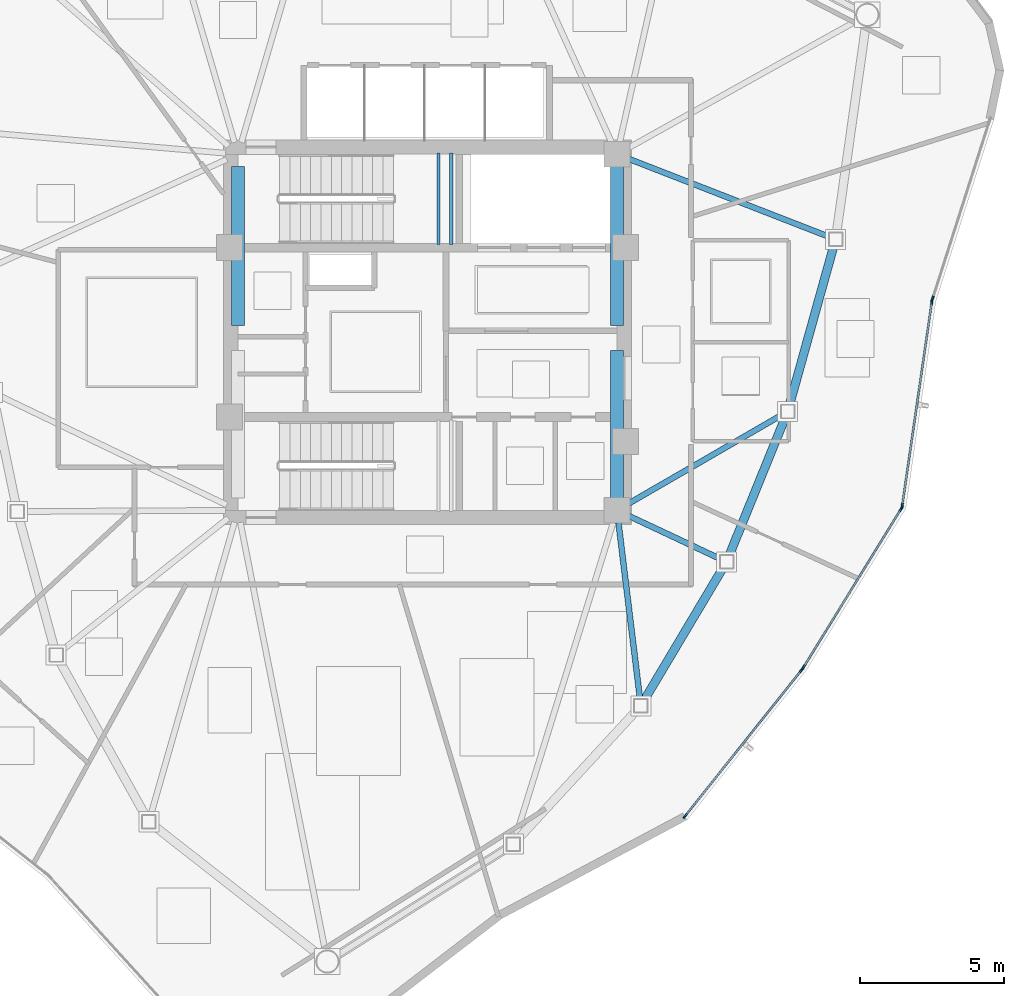
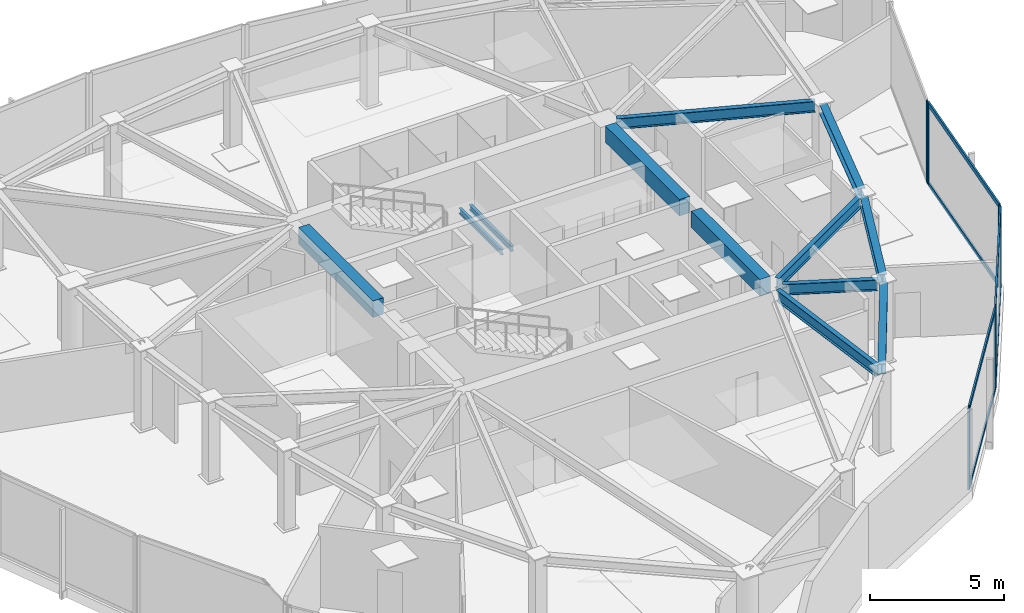
# One storey, part 4 of 14: 13 members, 12 beams, 4 elements without a shape of their own.
"""IFC4 building model written with IfcOpenShell, lengths in metres."""

from ifc_helpers import new_model, si_unit, direction, frame, origin, origin_2d, place, context, subcontext, project, spatial, rectangle, hollow_rectangle, i_section, extrude, source, transform, mapped, material, layer, layer_set, material_profile, profile_set, type_object, type_shapes, element, aggregate, save


model = new_model("IFC4")

# Units and contexts
model_context = context("Model", 3, precision=1e-05, world=origin(), true_north=direction((0.0, 1.0)))
body_context = subcontext(model_context, "Body", "Model", "MODEL_VIEW")
ifc_project = project(units=[si_unit("LENGTHUNIT", "METRE"), si_unit("AREAUNIT", "SQUARE_METRE"), si_unit("VOLUMEUNIT", "CUBIC_METRE"), si_unit("PLANEANGLEUNIT", "RADIAN"), si_unit("MASSUNIT", "GRAM", prefix="KILO")], contexts=[model_context])

# Site, building, storey
site_placement = place(None, origin())
site = spatial("IfcSite", under=ifc_project, at=site_placement, CompositionType="ELEMENT")
building_placement = place(site_placement, origin())
building = spatial("IfcBuilding", under=site, at=building_placement, Name="Tavelor Broadcast Tower", CompositionType="ELEMENT")
storey_placement = place(building_placement, frame((0.0, 0.0, 273.5)))
storey = spatial("IfcBuildingStorey", under=building, at=storey_placement, Name="L65", CompositionType="ELEMENT", Elevation=273.5)

# Beams
ifc_material_1 = material(Name="Concrete C40/50", Category="concrete")
ifc_material_profile_1 = material_profile(ifc_material_1, rectangle(XDim=0.449951171875, YDim=0.75, at=origin_2d()), Name="RC 450x750")
ifc_profile_set_1 = profile_set([ifc_material_profile_1], Name="Concrete C40/50")
beam_type_1 = type_object("IfcBeamType", Name="Basement Core Trim Beam 450x750", PredefinedType="BEAM", material=ifc_profile_set_1)
for number, where, z_axis, x_axis, name in (
    (1, (43.39990234375, 45.23193359375, 3.324951171875), (0.0, 1.0, 0.0), (-1.0, 0.0, 0.0), "L65 Core West-N Tie Girder"),
    (2, (56.60009765625, 45.23193359375, 3.324951171875), (0.0, 1.0, 0.0), (-1.0, 0.0, 0.0), "L65 Core East-N Tie Girder"),
):
    element("IfcBeam", number, at=place(storey_placement, frame(where, z_axis=z_axis, x_axis=x_axis)), inside=storey, type_object=beam_type_1, Name=name, PredefinedType="BEAM", context=body_context, shape_type="SweptSolid", body=[
        extrude(rectangle(XDim=0.449951171875, YDim=0.75, at=origin_2d()), origin(), (0.0, 0.0, 1.0), 5.5361328125),
    ])
beam_1_placement = place(storey_placement, frame((56.60009765625, 39.23193359375, 3.324951171875), z_axis=(0.0, 1.0, 0.0), x_axis=(-1.0, 0.0, 0.0)))
element("IfcBeam", 3, at=beam_1_placement, inside=storey, type_object=beam_type_1, Name="L65 Core East-S Tie Girder", PredefinedType="BEAM", context=body_context, shape_type="SweptSolid", body=[
    extrude(rectangle(XDim=0.449951171875, YDim=0.75, at=origin_2d()), origin(), (0.0, 0.0, 1.0), 5.135986328125),
])
ifc_material_2 = material(Name="Steel S355", Category="steel")
ifc_material_profile_2 = material_profile(ifc_material_2, i_section(OverallWidth=0.300048828125, OverallDepth=0.43994140625, WebThickness=0.011474609375, FlangeThickness=0.02099609375, at=origin_2d()), Name="HEA 450")
ifc_profile_set_2 = profile_set([ifc_material_profile_2], Name="Steel S355")
beam_type_2 = type_object("IfcBeamType", Name="Perimeter Spandrel Beam T7 HEA 450", PredefinedType="SPANDREL", material=ifc_profile_set_2)
beam_2_placement = place(storey_placement, frame((57.55419921875, 32.1982421875, 3.47998046875), z_axis=(0.511838109634, 0.859081922477, 0.0), x_axis=(-0.859081922477, 0.511838109634, 0.0)))
element("IfcBeam", 4, at=beam_2_placement, inside=storey, type_object=beam_type_2, Name="L65 Framed-Tube Ring Spandrel 09", PredefinedType="SPANDREL", context=body_context, shape_type="SweptSolid", body=[
    extrude(i_section(OverallWidth=0.300048828125, OverallDepth=0.43994140625, WebThickness=0.011474609375, FlangeThickness=0.02099609375, at=origin_2d()), origin(), (0.0, 0.0, 1.0), 5.354736328125),
])
beam_3_placement = place(storey_placement, frame((60.5078125, 37.226806640625, 3.47998046875), z_axis=(0.376269405566, 0.926510299152, 0.0), x_axis=(-0.926510299152, 0.376269405566, 0.0)))
element("IfcBeam", 5, at=beam_3_placement, inside=storey, type_object=beam_type_2, Name="L65 Framed-Tube Ring Spandrel 10", PredefinedType="SPANDREL", context=body_context, shape_type="SweptSolid", body=[
    extrude(i_section(OverallWidth=0.300048828125, OverallDepth=0.43994140625, WebThickness=0.011474609375, FlangeThickness=0.02099609375, at=origin_2d()), origin(), (0.0, 0.0, 1.0), 5.17138671875),
])
beam_4_placement = place(storey_placement, frame((62.608154296875, 42.4716796875, 3.47998046875), z_axis=(0.268356099851, 0.963319782664, 0.0), x_axis=(-0.963319782664, 0.268356099851, 0.0)))
element("IfcBeam", 6, at=beam_4_placement, inside=storey, type_object=beam_type_2, Name="L65 Framed-Tube Ring Spandrel 11", PredefinedType="SPANDREL", context=body_context, shape_type="SweptSolid", body=[
    extrude(i_section(OverallWidth=0.300048828125, OverallDepth=0.43994140625, WebThickness=0.011474609375, FlangeThickness=0.02099609375, at=origin_2d()), origin(), (0.0, 0.0, 1.0), 5.7451171875),
])
ifc_material_profile_3 = material_profile(ifc_material_2, i_section(OverallWidth=0.199951171875, OverallDepth=0.5, WebThickness=0.01025390625, FlangeThickness=0.01611328125, at=origin_2d()), Name="IPE 500")
ifc_profile_set_3 = profile_set([ifc_material_profile_3], Name="Steel S355")
beam_type_3 = type_object("IfcBeamType", Name="Radial Floor Girder T7 IPE 500", PredefinedType="BEAM", material=ifc_profile_set_3)
beam_5_placement = place(storey_placement, frame((56.65234375, 38.37109375, 3.449951171875), z_axis=(0.121231727596, -0.992624233144, 0.0), x_axis=(0.992624233144, 0.121231727596, 0.0)))
element("IfcBeam", 7, at=beam_5_placement, inside=storey, type_object=beam_type_3, Name="L65 Radial Primary Floor Girder 09", PredefinedType="BEAM", context=body_context, shape_type="SweptSolid", body=[
    extrude(i_section(OverallWidth=0.199951171875, OverallDepth=0.5, WebThickness=0.01025390625, FlangeThickness=0.01611328125, at=origin_2d()), origin(), (0.0, 0.0, 1.0), 6.1865234375),
])
beam_6_placement = place(storey_placement, frame((56.990966796875, 38.6162109375, 3.449951171875), z_axis=(0.904907602736, -0.425608071483, 0.0), x_axis=(0.425608071483, 0.904907602736, 0.0)))
element("IfcBeam", 8, at=beam_6_placement, inside=storey, type_object=beam_type_3, Name="L65 Radial Primary Floor Girder 10", PredefinedType="BEAM", context=body_context, shape_type="SweptSolid", body=[
    extrude(i_section(OverallWidth=0.199951171875, OverallDepth=0.5, WebThickness=0.01025390625, FlangeThickness=0.01611328125, at=origin_2d()), origin(), (0.0, 0.0, 1.0), 3.546630859375),
])
beam_7_placement = place(storey_placement, frame((56.973876953125, 39.016357421875, 3.449951171875), z_axis=(0.865460455047, 0.500977245741, 0.0), x_axis=(-0.500977245741, 0.865460455047, 0.0)))
element("IfcBeam", 9, at=beam_7_placement, inside=storey, type_object=beam_type_3, Name="L65 Radial Primary Floor Girder 11", PredefinedType="BEAM", context=body_context, shape_type="SweptSolid", body=[
    extrude(i_section(OverallWidth=0.199951171875, OverallDepth=0.5, WebThickness=0.01025390625, FlangeThickness=0.01611328125, at=origin_2d()), origin(), (0.0, 0.0, 1.0), 6.19580078125),
])
beam_8_placement = place(storey_placement, frame((57.002685546875, 51.04345703125, 3.449951171875), z_axis=(0.931940498833, -0.362611233466, 0.0), x_axis=(0.362611233466, 0.931940498833, 0.0)))
element("IfcBeam", 10, at=beam_8_placement, inside=storey, type_object=beam_type_3, Name="L65 Radial Primary Floor Girder 12", PredefinedType="BEAM", context=body_context, shape_type="SweptSolid", body=[
    extrude(i_section(OverallWidth=0.199951171875, OverallDepth=0.5, WebThickness=0.01025390625, FlangeThickness=0.01611328125, at=origin_2d()), origin(), (0.0, 0.0, 1.0), 7.498291015625),
])
ifc_material_profile_4 = material_profile(ifc_material_2, i_section(OverallWidth=0.1201171875, OverallDepth=0.239990234375, WebThickness=0.006103515625, FlangeThickness=0.009765625, at=origin_2d()), Name="IPE 240")
ifc_profile_set_4 = profile_set([ifc_material_profile_4], Name="Steel S355")
beam_type_4 = type_object("IfcBeamType", Name="Stairwell Landing Support Trimmer Beam IPE240", PredefinedType="BEAM", material=ifc_profile_set_4)
for number, where, z_axis, x_axis, name in (
    (11, (50.385009765625, 48.06005859375, 1.68505859375), (0.0, 1.0, 0.0), (-1.0, 0.0, 0.0), "L65 Stair Landing Support Beam 171"),
    (12, (50.824951171875, 48.06005859375, 1.68505859375), (0.0, 1.0, 0.0), (-1.0, 0.0, 0.0), "L65 Stair Landing Support Beam 172"),
):
    element("IfcBeam", number, at=place(storey_placement, frame(where, z_axis=z_axis, x_axis=x_axis)), inside=storey, type_object=beam_type_4, Name=name, PredefinedType="BEAM", context=body_context, shape_type="SweptSolid", body=[
        extrude(i_section(OverallWidth=0.1201171875, OverallDepth=0.239990234375, WebThickness=0.006103515625, FlangeThickness=0.009765625, at=origin_2d()), origin(), (0.0, 0.0, 1.0), 3.179931640625),
    ])

# Curtain wall, members
ifc_material_3 = material(Name="Architectural Anodized Aluminium", Category="aluminium")
ifc_layer = layer(ifc_material_3, 0.199951171875)
ifc_layer_set = layer_set([ifc_layer], Name="Architectural Anodized Aluminium")
curtain_wall_type = type_object("IfcCurtainWallType", Name="Tower High-Zone Triple-Glazed Curtain Wall CW04", PredefinedType="NOTDEFINED", material=ifc_layer_set)
curtain_wall_1_placement = place(storey_placement, origin())
curtain_wall_1 = element("IfcCurtainWall", 13, at=curtain_wall_1_placement, inside=storey, type_object=curtain_wall_type, Name="L65 Curtain Wall CW04 Run 713", PredefinedType="NOTDEFINED")
ifc_material_profile_5 = material_profile(ifc_material_3, hollow_rectangle(XDim=0.070068359375, YDim=0.199951171875, WallThickness=0.02197265625, at=origin_2d()), Name="RHS 70x200x22")
ifc_profile_set_5 = profile_set([ifc_material_profile_5], Name="Architectural Anodized Aluminium")
member_type_1 = type_object("IfcMemberType", Name="CW04 Extruded Aluminium Mullion 70x200", PredefinedType="MULLION", material=ifc_profile_set_5)
shared_shape_1 = source(origin(), body_context, "Body", "SweptSolid", [
    extrude(hollow_rectangle(XDim=0.070068359375, YDim=0.199951171875, WallThickness=0.02197265625, at=origin_2d()), origin(), (0.0, 0.0, 1.0), 3.699951171875),
])
type_shapes(member_type_1, [shared_shape_1])
member_1_placement = place(storey_placement, frame((58.9765625, 28.156982421875, 0.0), z_axis=(0.0, 0.0, 1.0), x_axis=(-0.781787170809, 0.623545362871, 0.0)))
member_1 = element("IfcMember", 14, at=member_1_placement, type_object=member_type_1, Name="CW04 mullion 1", PredefinedType="MULLION", context=body_context, shape_type="MappedRepresentation", body=[
    mapped(shared_shape_1, transform((0.0, 0.0, 0.0), scale=1.0)),
])
member_2_placement = place(storey_placement, frame((63.0361328125, 33.246826171875, 0.0), z_axis=(0.0, 0.0, 1.0), x_axis=(-0.781787170809, 0.623545362871, 0.0)))
member_2 = element("IfcMember", 15, at=member_2_placement, type_object=member_type_1, Name="CW04 mullion 2", PredefinedType="MULLION", context=body_context, shape_type="MappedRepresentation", body=[
    mapped(shared_shape_1, transform((0.0, 0.0, 0.0), scale=1.0)),
])

curtain_wall_2_placement = place(storey_placement, origin())
curtain_wall_2 = element("IfcCurtainWall", 16, at=curtain_wall_2_placement, inside=storey, type_object=curtain_wall_type, Name="L65 Curtain Wall CW04 Run 714", PredefinedType="NOTDEFINED")
member_3_placement = place(storey_placement, frame((63.093505859375, 33.32861328125, 0.0), z_axis=(0.0, 0.0, 1.0), x_axis=(-0.851502436676, 0.524350646357, 0.0)))
member_3 = element("IfcMember", 17, at=member_3_placement, type_object=member_type_1, Name="CW04 mullion 1", PredefinedType="MULLION", context=body_context, shape_type="MappedRepresentation", body=[
    mapped(shared_shape_1, transform((0.0, 0.0, 0.0), scale=1.0)),
])
member_4_placement = place(storey_placement, frame((66.49951171875, 38.859375, 0.0), z_axis=(0.0, 0.0, 1.0), x_axis=(-0.851502436676, 0.524350646357, 0.0)))
member_4 = element("IfcMember", 18, at=member_4_placement, type_object=member_type_1, Name="CW04 mullion 2", PredefinedType="MULLION", context=body_context, shape_type="MappedRepresentation", body=[
    mapped(shared_shape_1, transform((0.0, 0.0, 0.0), scale=1.0)),
])

curtain_wall_3_placement = place(storey_placement, origin())
curtain_wall_3 = element("IfcCurtainWall", 19, at=curtain_wall_3_placement, inside=storey, type_object=curtain_wall_type, Name="L65 Curtain Wall CW04 Run 715", PredefinedType="NOTDEFINED")
member_5_placement = place(storey_placement, frame((66.532958984375, 38.951416015625, 0.0), z_axis=(0.0, 0.0, 1.0), x_axis=(-0.989616084344, 0.143735888377, 0.0)))
member_5 = element("IfcMember", 20, at=member_5_placement, type_object=member_type_1, Name="CW04 mullion 1", PredefinedType="MULLION", context=body_context, shape_type="MappedRepresentation", body=[
    mapped(shared_shape_1, transform((0.0, 0.0, 0.0), scale=1.0)),
])
member_6_placement = place(storey_placement, frame((67.56689453125, 46.070068359375, 0.0), z_axis=(0.0, 0.0, 1.0), x_axis=(-0.989616084344, 0.143735888377, 0.0)))
member_6 = element("IfcMember", 21, at=member_6_placement, type_object=member_type_1, Name="CW04 mullion 2", PredefinedType="MULLION", context=body_context, shape_type="MappedRepresentation", body=[
    mapped(shared_shape_1, transform((0.0, 0.0, 0.0), scale=1.0)),
])

# Curtain wall, member
curtain_wall_4_placement = place(storey_placement, origin())
curtain_wall_4 = element("IfcCurtainWall", 22, at=curtain_wall_4_placement, inside=storey, type_object=curtain_wall_type, Name="L65 Curtain Wall CW04 Run 716", PredefinedType="NOTDEFINED")
member_7_placement = place(storey_placement, frame((67.58935546875, 46.167236328125, 0.0), z_axis=(0.0, 0.0, 1.0), x_axis=(-0.952538055495, 0.304419534252, 0.0)))
member_7 = element("IfcMember", 23, at=member_7_placement, type_object=member_type_1, Name="CW04 mullion 1", PredefinedType="MULLION", context=body_context, shape_type="MappedRepresentation", body=[
    mapped(shared_shape_1, transform((0.0, 0.0, 0.0), scale=1.0)),
])
aggregate(curtain_wall_4, [member_7])

# Member
ifc_material_profile_6 = material_profile(ifc_material_3, hollow_rectangle(XDim=0.070068359375, YDim=0.199951171875, WallThickness=0.02197265625, at=origin_2d()), Name="RHS 70x200x22")
ifc_profile_set_6 = profile_set([ifc_material_profile_6], Name="Architectural Anodized Aluminium")
member_type_2 = type_object("IfcMemberType", Name="CW04 Extruded Aluminium Transom 70x200", PredefinedType="USERDEFINED", material=ifc_profile_set_6)
shared_shape_2 = source(origin(), body_context, "Body", "SweptSolid", [
    extrude(hollow_rectangle(XDim=0.070068359375, YDim=0.199951171875, WallThickness=0.02197265625, at=origin_2d()), origin(), (0.0, 0.0, 1.0), 6.4404296875),
])
member_8_placement = place(storey_placement, frame((58.99853515625, 28.184326171875, 0.034912109375), z_axis=(0.623534030531, 0.781796209232, 0.0), x_axis=(-0.781796209232, 0.623534030531, 0.0)))
member_8 = element("IfcMember", 24, at=member_8_placement, type_object=member_type_2, Name="CW04 transom 1.1", ObjectType="TRANSOM", PredefinedType="USERDEFINED", context=body_context, shape_type="MappedRepresentation", body=[
    mapped(shared_shape_2, transform((0.0, 0.0, 0.0), scale=1.0)),
])

member_9_placement = place(storey_placement, frame((58.99853515625, 28.184326171875, 3.6650390625), z_axis=(0.623534030531, 0.781796209232, 0.0), x_axis=(-0.781796209232, 0.623534030531, 0.0)))
member_9 = element("IfcMember", 25, at=member_9_placement, type_object=member_type_2, Name="CW04 transom 1.2", ObjectType="TRANSOM", PredefinedType="USERDEFINED", context=body_context, shape_type="MappedRepresentation", body=[
    mapped(shared_shape_2, transform((0.0, 0.0, 0.0), scale=1.0)),
])

aggregate(curtain_wall_1, [member_1, member_2, member_8, member_9])

shared_shape_3 = source(origin(), body_context, "Body", "SweptSolid", [
    extrude(hollow_rectangle(XDim=0.070068359375, YDim=0.199951171875, WallThickness=0.02197265625, at=origin_2d()), origin(), (0.0, 0.0, 1.0), 6.425537109375),
])
member_10_placement = place(storey_placement, frame((63.11181640625, 33.3583984375, 0.034912109375), z_axis=(0.52437934824, 0.851484761543, 0.0), x_axis=(-0.851484761543, 0.52437934824, 0.0)))
member_10 = element("IfcMember", 26, at=member_10_placement, type_object=member_type_2, Name="CW04 transom 1.1", ObjectType="TRANSOM", PredefinedType="USERDEFINED", context=body_context, shape_type="MappedRepresentation", body=[
    mapped(shared_shape_3, transform((0.0, 0.0, 0.0), scale=1.0)),
])

member_11_placement = place(storey_placement, frame((63.11181640625, 33.3583984375, 3.6650390625), z_axis=(0.52437934824, 0.851484761543, 0.0), x_axis=(-0.851484761543, 0.52437934824, 0.0)))
member_11 = element("IfcMember", 27, at=member_11_placement, type_object=member_type_2, Name="CW04 transom 1.2", ObjectType="TRANSOM", PredefinedType="USERDEFINED", context=body_context, shape_type="MappedRepresentation", body=[
    mapped(shared_shape_3, transform((0.0, 0.0, 0.0), scale=1.0)),
])

aggregate(curtain_wall_2, [member_3, member_4, member_10, member_11])

shared_shape_4 = source(origin(), body_context, "Body", "SweptSolid", [
    extrude(hollow_rectangle(XDim=0.070068359375, YDim=0.199951171875, WallThickness=0.02197265625, at=origin_2d()), origin(), (0.0, 0.0, 1.0), 7.123291015625),
])
type_shapes(member_type_2, [shared_shape_2, shared_shape_3, shared_shape_4])
member_12_placement = place(storey_placement, frame((66.537841796875, 38.986083984375, 0.034912109375), z_axis=(0.143743344046, 0.989615001424, 0.0), x_axis=(-0.989615001424, 0.143743344046, 0.0)))
member_12 = element("IfcMember", 28, at=member_12_placement, type_object=member_type_2, Name="CW04 transom 1.1", ObjectType="TRANSOM", PredefinedType="USERDEFINED", context=body_context, shape_type="MappedRepresentation", body=[
    mapped(shared_shape_4, transform((0.0, 0.0, 0.0), scale=1.0)),
])

member_13_placement = place(storey_placement, frame((66.537841796875, 38.986083984375, 3.6650390625), z_axis=(0.143743344046, 0.989615001424, 0.0), x_axis=(-0.989615001424, 0.143743344046, 0.0)))
member_13 = element("IfcMember", 29, at=member_13_placement, type_object=member_type_2, Name="CW04 transom 1.2", ObjectType="TRANSOM", PredefinedType="USERDEFINED", context=body_context, shape_type="MappedRepresentation", body=[
    mapped(shared_shape_4, transform((0.0, 0.0, 0.0), scale=1.0)),
])

aggregate(curtain_wall_3, [member_5, member_6, member_12, member_13])

save(model, "model.ifc")
